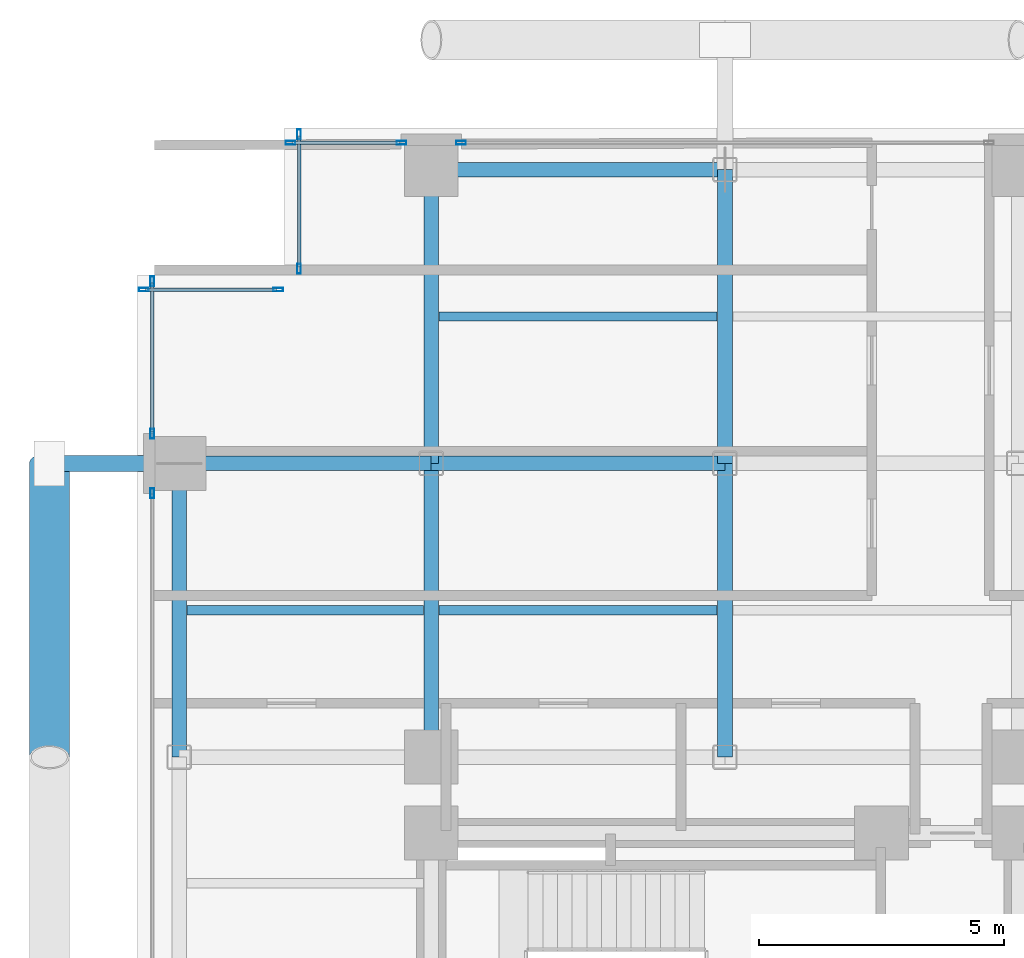
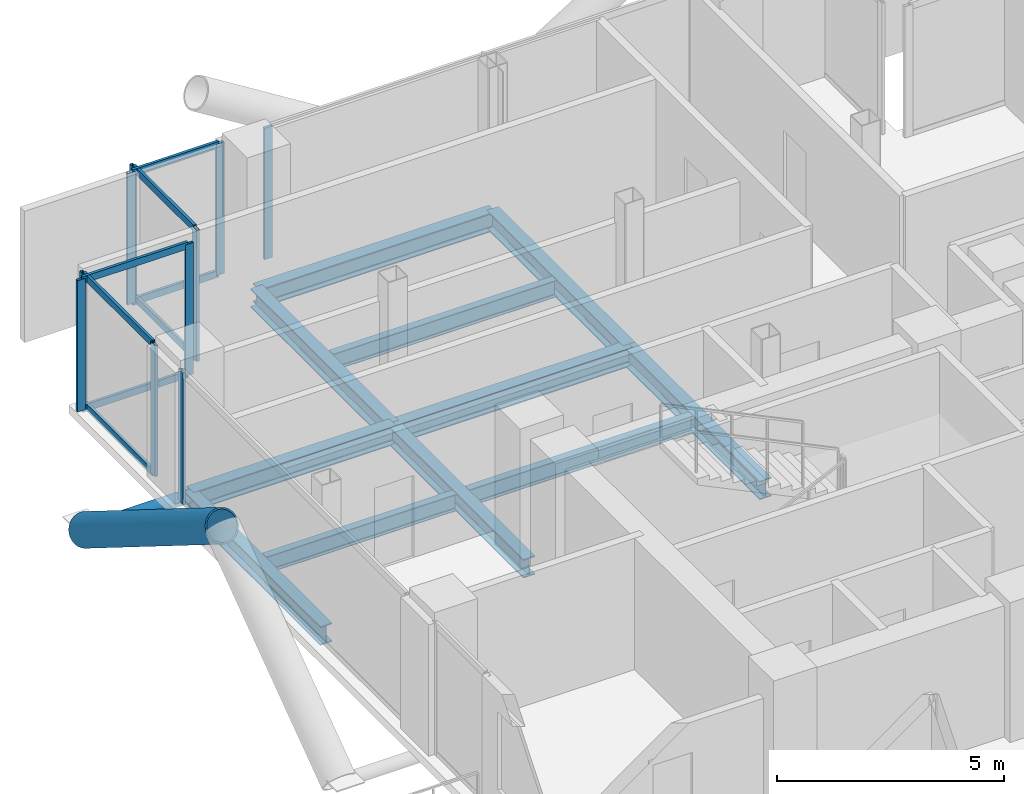
# One storey, part 14 of 24: 20 members, 11 beams, 6 elements without a shape of their own.
"""IFC4 building model written with IfcOpenShell, lengths in metres."""

import ifcopenshell
import ifcopenshell.guid

model = None  # the IFC model being written
_history = None  # IfcOwnerHistory: only IFC2X3 demands one
_inside = {}  # id of a spatial element -> (the spatial element, [elements in it])
_under = {}  # id of a project, library or spatial element -> (it, [spatial elements below it])
_declared = {}  # id of a project -> (the project, [libraries it declares])
_typed = {}  # id of a type object -> (the type object, [elements of that type])
_made_of = {}  # id of a material, layer set ... -> (it, [elements and type objects made of it])


def new_model(schema):
    """Start an empty IFC model of exactly this schema.

    Asked for "IFC4X3", IfcOpenShell would pick the latest addendum, in which some entities
    have other attributes; the version numbers below select the first issue.
    IFC2X3 requires an IfcOwnerHistory on every rooted entity: one is made here for all.
    """
    global model, _history
    if schema == "IFC4X3":
        model = ifcopenshell.file(schema_version=(4, 3, 0, 0))
    else:
        model = ifcopenshell.file(schema=schema)
    _inside.clear()
    _under.clear()
    _declared.clear()
    _typed.clear()
    _made_of.clear()
    _history = None
    if model.schema == "IFC2X3":
        org = make("IfcOrganization", Name="unknown")
        user = make(
            "IfcPersonAndOrganization",
            ThePerson=make("IfcPerson", FamilyName="unknown"),
            TheOrganization=org,
        )
        app = make(
            "IfcApplication",
            ApplicationDeveloper=org,
            Version="unknown",
            ApplicationFullName="unknown",
            ApplicationIdentifier="unknown",
        )
        _history = make(
            "IfcOwnerHistory",
            OwningUser=user,
            OwningApplication=app,
            ChangeAction="ADDED",
            CreationDate=0,
        )
    return model


def make(cls, **values):
    """One entity of the class cls with the attributes given. An attribute that is None is left unset."""
    return model.create_entity(
        cls, **{name: value for name, value in values.items() if value is not None}
    )


def rooted(cls, **values):
    """An entity with a GlobalId (a new one), such as an element, a storey or a relation."""
    return make(cls, GlobalId=ifcopenshell.guid.new(), OwnerHistory=_history, **values)


def si_unit(unit_type, name, prefix=None):
    """IfcSIUnit, for example si_unit("LENGTHUNIT", "METRE", prefix="MILLI")."""
    return make("IfcSIUnit", UnitType=unit_type, Prefix=prefix, Name=name)


def assignment(units):
    """IfcUnitAssignment: the units of a project."""
    return None if units is None else make("IfcUnitAssignment", Units=units)


def point(xyz):
    """IfcCartesianPoint."""
    return None if xyz is None else make("IfcCartesianPoint", Coordinates=xyz)


def direction(xyz):
    """IfcDirection."""
    return None if xyz is None else make("IfcDirection", DirectionRatios=xyz)


def frame(location, z_axis=None, x_axis=None):
    """IfcAxis2Placement3D, a coordinate frame: its origin and axes. An axis left out is left unset."""
    return make(
        "IfcAxis2Placement3D",
        Location=point(location),
        Axis=direction(z_axis),
        RefDirection=direction(x_axis),
    )


def frame_2d(location, x_axis=None):
    """IfcAxis2Placement2D, a coordinate frame in the plane: its origin and x axis."""
    return make(
        "IfcAxis2Placement2D", Location=point(location), RefDirection=direction(x_axis)
    )


def origin():
    """The frame at (0, 0, 0) with its axes left unset."""
    return frame((0.0, 0.0, 0.0))


def origin_2d():
    """The frame at (0, 0) in the plane with its x axis left unset."""
    return frame_2d((0.0, 0.0))


def place(relative_to, where):
    """IfcLocalPlacement: puts the frame where relative to a parent placement (None: the world)."""
    return make(
        "IfcLocalPlacement", PlacementRelTo=relative_to, RelativePlacement=where
    )


def context(
    kind, dimensions, precision=None, world=None, true_north=None, identifier=None
):
    """IfcGeometricRepresentationContext, for example the 3D "Model" context."""
    return make(
        "IfcGeometricRepresentationContext",
        ContextIdentifier=identifier,
        ContextType=kind,
        CoordinateSpaceDimension=dimensions,
        Precision=precision,
        WorldCoordinateSystem=world,
        TrueNorth=true_north,
    )


def subcontext(parent, identifier, kind, view, scale=None):
    """IfcGeometricRepresentationSubContext, for example "Body" below "Model"."""
    return make(
        "IfcGeometricRepresentationSubContext",
        ContextIdentifier=identifier,
        ContextType=kind,
        ParentContext=parent,
        TargetScale=scale,
        TargetView=view,
    )


def project(units=None, contexts=None):
    """IfcProject with its units and contexts."""
    return rooted(
        "IfcProject",
        Name="project",
        RepresentationContexts=contexts,
        UnitsInContext=assignment(units),
    )


def spatial(cls, under=None, at=None, **own):
    """A site, building, storey or space (cls), placed at a placement, below another one or the project."""
    s = rooted(cls, ObjectPlacement=at, **own)
    if under is not None:
        _under.setdefault(under.id(), (under, []))[1].append(s)
    return s


def profile(cls, at=None, kind="AREA", **sizes):
    """A parametric profile (cls). Its sizes go by their IFC names, for example OverallWidth=200.0."""
    return make(cls, ProfileType=kind, Position=at, **sizes)


def hollow_rectangle(**sizes):
    """IfcRectangleHollowProfileDef."""
    return profile("IfcRectangleHollowProfileDef", **sizes)


def hollow_circle(**sizes):
    """IfcCircleHollowProfileDef."""
    return profile("IfcCircleHollowProfileDef", **sizes)


def i_section(**sizes):
    """IfcIShapeProfileDef."""
    return profile("IfcIShapeProfileDef", **sizes)


def extrude(swept, where, along, depth):
    """IfcExtrudedAreaSolid: the profile swept, set in the frame where, extruded along a direction by depth."""
    return make(
        "IfcExtrudedAreaSolid",
        SweptArea=swept,
        Position=where,
        ExtrudedDirection=direction(along),
        Depth=depth,
    )


def shape(context_of_items, identifier, shape_type, items):
    """IfcShapeRepresentation: the items that make up one representation, for example the "Body"."""
    return make(
        "IfcShapeRepresentation",
        ContextOfItems=context_of_items,
        RepresentationIdentifier=identifier,
        RepresentationType=shape_type,
        Items=items,
    )


def material(Name=None, Category=None):
    """IfcMaterial."""
    return make("IfcMaterial", Name=Name, Category=Category)


def layer(
    of_material, thickness, ventilated=None, Name=None, Category=None, Priority=None
):
    """IfcMaterialLayer: one layer of a wall or slab, of a material (None: an air gap)."""
    return make(
        "IfcMaterialLayer",
        Material=of_material,
        LayerThickness=thickness,
        IsVentilated=ventilated,
        Name=Name,
        Category=Category,
        Priority=Priority,
    )


def layer_set(layers, Name=None):
    """IfcMaterialLayerSet."""
    return make("IfcMaterialLayerSet", MaterialLayers=layers, LayerSetName=Name)


def material_profile(
    of_material, cross_section, Name=None, Category=None, Priority=None
):
    """IfcMaterialProfile: a cross section and its material."""
    return make(
        "IfcMaterialProfile",
        Name=Name,
        Material=of_material,
        Profile=cross_section,
        Priority=Priority,
        Category=Category,
    )


def profile_set(profiles, Name=None, composite=None):
    """IfcMaterialProfileSet."""
    return make(
        "IfcMaterialProfileSet",
        Name=Name,
        MaterialProfiles=profiles,
        CompositeProfile=composite,
    )


def made_of(thing, what):
    """Note that an element or type object is made of a material, layer set ...; save() writes the relation."""
    if what is not None:
        _made_of.setdefault(what.id(), (what, []))[1].append(thing)
    return thing


def type_object(cls, material=None, **own):
    """A type object (cls), such as IfcWallType, which elements share."""
    return made_of(rooted(cls, **own), material)


def element(
    cls,
    number,
    at=None,
    inside=None,
    cuts=None,
    type_object=None,
    material=None,
    context=None,
    identifier="Body",
    shape_type=None,
    held_by="IfcProductDefinitionShape",
    body=None,
    shapes=None,
    **own,
):
    """One element of the class cls, such as IfcWall. Its Tag is "e" and its number.

    at: its placement. inside: the storey or other place that contains it. cuts: it is an
    opening in that element (IfcRelVoidsElement). A single representation is given by context,
    identifier, shape_type and body (its items); several are given by shapes. held_by: the class
    of the entity that holds the representations. save() writes the other relations.
    """
    e = rooted(cls, Tag="e%d" % number, ObjectPlacement=at, **own)
    if body is not None:
        shapes = [shape(context, identifier, shape_type, body)]
    if shapes is not None:
        e.Representation = make(held_by, Representations=shapes)
    if inside is not None:
        _inside.setdefault(inside.id(), (inside, []))[1].append(e)
    if cuts is not None:
        rooted(
            "IfcRelVoidsElement", RelatingBuildingElement=cuts, RelatedOpeningElement=e
        )
    if type_object is not None:
        _typed.setdefault(type_object.id(), (type_object, []))[1].append(e)
    return made_of(e, material)


def aggregate(whole, parts):
    """IfcRelAggregates: a whole, such as a stair, and the parts it consists of."""
    return rooted("IfcRelAggregates", RelatingObject=whole, RelatedObjects=parts)


def save(model, path):
    """Write the relations noted so far, then the file.

    IfcRelAggregates (storeys below a building ...), IfcRelContainedInSpatialStructure (elements
    in a storey), IfcRelDefinesByType, IfcRelAssociatesMaterial and IfcRelDeclares: one each for
    every whole, place, type object, material and project.
    """
    for whole, parts in _under.values():
        aggregate(whole, parts)
    for where, things in _inside.values():
        rooted(
            "IfcRelContainedInSpatialStructure",
            RelatedElements=things,
            RelatingStructure=where,
        )
    for kind, things in _typed.values():
        rooted("IfcRelDefinesByType", RelatedObjects=things, RelatingType=kind)
    for what, things in _made_of.values():
        rooted("IfcRelAssociatesMaterial", RelatedObjects=things, RelatingMaterial=what)
    for by, libraries in _declared.values():
        rooted("IfcRelDeclares", RelatingContext=by, RelatedDefinitions=libraries)
    model.write(path)


model = new_model("IFC4")

# Units and contexts
model_context = context("Model", 3, precision=1e-05, world=origin(), true_north=direction((0.0, 1.0)))
body_context = subcontext(model_context, "Body", "Model", "MODEL_VIEW")
ifc_project = project(units=[si_unit("LENGTHUNIT", "METRE"), si_unit("AREAUNIT", "SQUARE_METRE"), si_unit("VOLUMEUNIT", "CUBIC_METRE"), si_unit("PLANEANGLEUNIT", "RADIAN"), si_unit("MASSUNIT", "GRAM", prefix="KILO"), si_unit("THERMODYNAMICTEMPERATUREUNIT", "KELVIN"), si_unit("POWERUNIT", "WATT")], contexts=[model_context])

# Site, building, storey
site_placement = place(None, origin())
site = spatial("IfcSite", under=ifc_project, at=site_placement, CompositionType="ELEMENT")
building_placement = place(site_placement, origin())
building = spatial("IfcBuilding", under=site, at=building_placement, Name="Svarakhadi Broadcast Tower", CompositionType="ELEMENT")
storey_placement = place(building_placement, frame((0.0, 0.0, 115.64990234375)))
storey = spatial("IfcBuildingStorey", under=building, at=storey_placement, Name="L27", CompositionType="ELEMENT", Elevation=115.64990234375)

# Beams
ifc_material_1 = material(Name="Steel S355J2 (IS 2062 E350C)", Category="steel")
ifc_material_profile_1 = material_profile(ifc_material_1, i_section(OverallWidth=0.18994140625, OverallDepth=0.449951171875, WebThickness=0.009521484375, FlangeThickness=0.0146484375, FilletRadius=0.02099609375, at=origin_2d()), Name="NPB 450x190x78")
ifc_profile_set_1 = profile_set([ifc_material_profile_1], Name="Steel S355J2 (IS 2062 E350C)")
beam_type_1 = type_object("IfcBeamType", Name="Beam_NPB450", PredefinedType="BEAM", material=ifc_profile_set_1)
beam_1_placement = place(storey_placement, frame((1.010009765625, 32.14990234375, -0.449951171875), z_axis=(1.0, 0.0, 0.0), x_axis=(0.0, 1.0, 0.0)))
element("IfcBeam", 1, at=beam_1_placement, inside=storey, type_object=beam_type_1, Name="L27 Secondary Composite Beam SB005", PredefinedType="BEAM", context=body_context, shape_type="SweptSolid", body=[
    extrude(i_section(OverallWidth=0.18994140625, OverallDepth=0.449951171875, WebThickness=0.009521484375, FlangeThickness=0.0146484375, FilletRadius=0.02099609375, at=origin_2d()), origin(), (0.0, 0.0, 1.0), 4.830078125),
])
for number, where, z_axis, x_axis, name in (
    (2, (6.159912109375, 32.14990234375, -0.449951171875), (1.0, 0.0, 0.0), (0.0, 1.0, 0.0), "L27 Secondary Composite Beam SB009"),
    (3, (6.159912109375, 38.14990234375, -0.449951171875), (1.0, 0.0, 0.0), (0.0, 1.0, 0.0), "L27 Secondary Composite Beam SB010"),
):
    element("IfcBeam", number, at=place(storey_placement, frame(where, z_axis=z_axis, x_axis=x_axis)), inside=storey, type_object=beam_type_1, Name=name, PredefinedType="BEAM", context=body_context, shape_type="SweptSolid", body=[
        extrude(i_section(OverallWidth=0.18994140625, OverallDepth=0.449951171875, WebThickness=0.009521484375, FlangeThickness=0.0146484375, FilletRadius=0.02099609375, at=origin_2d()), origin(), (0.0, 0.0, 1.0), 5.68017578125),
    ])

# Curtain wall, member
ifc_material_2 = material(Name="Anodised Bronze Aluminium AA 6063-T6", Category="aluminium")
ifc_layer = layer(ifc_material_2, 0.199951171875)
ifc_layer_set = layer_set([ifc_layer], Name="Anodised Bronze Aluminium AA 6063-T6")
curtain_wall_type = type_object("IfcCurtainWallType", Name="CW_Sys_03", PredefinedType="NOTDEFINED", material=ifc_layer_set)
curtain_wall_1_placement = place(storey_placement, origin())
curtain_wall_1 = element("IfcCurtainWall", 4, at=curtain_wall_1_placement, inside=storey, type_object=curtain_wall_type, Name="L27 West Curtain Wall 03 Bay 2", PredefinedType="NOTDEFINED")
ifc_material_profile_2 = material_profile(ifc_material_2, hollow_rectangle(XDim=0.074951171875, YDim=0.199951171875, WallThickness=0.005615234375, at=origin_2d()), Name="ALU MULLION 200x75x6")
ifc_profile_set_2 = profile_set([ifc_material_profile_2], Name="Anodised Bronze Aluminium AA 6063-T6")
member_type_1 = type_object("IfcMemberType", Name="CW_Sys_03_Mul", PredefinedType="MULLION", material=ifc_profile_set_2)
member_1_placement = place(storey_placement, frame((0.300048828125, 34.54248046875, 0.0), z_axis=(0.0, 0.0, 1.0), x_axis=(-1.0, 0.0, 0.0)))
member_1 = element("IfcMember", 5, at=member_1_placement, type_object=member_type_1, Name="CW-03 mullion 2", PredefinedType="MULLION", context=body_context, shape_type="SweptSolid", body=[
    extrude(hollow_rectangle(XDim=0.074951171875, YDim=0.199951171875, WallThickness=0.005615234375, at=origin_2d()), origin(), (0.0, 0.0, 1.0), 3.525146484375),
])
aggregate(curtain_wall_1, [member_1])

# Curtain wall, members
curtain_wall_2_placement = place(storey_placement, origin())
curtain_wall_2 = element("IfcCurtainWall", 6, at=curtain_wall_2_placement, inside=storey, type_object=curtain_wall_type, Name="L27 West Curtain Wall 03 Bay 3", PredefinedType="NOTDEFINED")
member_2_placement = place(storey_placement, frame((0.300048828125, 35.757568359375, 0.0), z_axis=(0.0, 0.0, 1.0), x_axis=(-1.0, 0.0, 0.0)))
member_2 = element("IfcMember", 7, at=member_2_placement, type_object=member_type_1, Name="CW-03 mullion 1", PredefinedType="MULLION", context=body_context, shape_type="SweptSolid", body=[
    extrude(hollow_rectangle(XDim=0.074951171875, YDim=0.199951171875, WallThickness=0.005615234375, at=origin_2d()), origin(), (0.0, 0.0, 1.0), 3.525146484375),
])
member_3_placement = place(storey_placement, frame((0.300048828125, 38.87255859375, 0.0), z_axis=(0.0, 0.0, 1.0), x_axis=(-1.0, 0.0, 0.0)))
member_3 = element("IfcMember", 8, at=member_3_placement, type_object=member_type_1, Name="CW-03 mullion 2", PredefinedType="MULLION", context=body_context, shape_type="SweptSolid", body=[
    extrude(hollow_rectangle(XDim=0.074951171875, YDim=0.199951171875, WallThickness=0.005615234375, at=origin_2d()), origin(), (0.0, 0.0, 1.0), 3.525146484375),
])

curtain_wall_3_placement = place(storey_placement, origin())
curtain_wall_3 = element("IfcCurtainWall", 9, at=curtain_wall_3_placement, inside=storey, type_object=curtain_wall_type, Name="L27 Unitised Facade Curtain Wall 04", PredefinedType="NOTDEFINED")
member_4_placement = place(storey_placement, frame((0.12744140625, 38.699951171875, 0.0), z_axis=(0.0, 0.0, 1.0), x_axis=(0.0, 1.0, 0.0)))
member_4 = element("IfcMember", 10, at=member_4_placement, type_object=member_type_1, Name="CW-03 mullion 1", PredefinedType="MULLION", context=body_context, shape_type="SweptSolid", body=[
    extrude(hollow_rectangle(XDim=0.074951171875, YDim=0.199951171875, WallThickness=0.005615234375, at=origin_2d()), origin(), (0.0, 0.0, 1.0), 3.525146484375),
])
member_5_placement = place(storey_placement, frame((2.87255859375, 38.699951171875, 0.0), z_axis=(0.0, 0.0, 1.0), x_axis=(0.0, 1.0, 0.0)))
member_5 = element("IfcMember", 11, at=member_5_placement, type_object=member_type_1, Name="CW-03 mullion 2", PredefinedType="MULLION", context=body_context, shape_type="SweptSolid", body=[
    extrude(hollow_rectangle(XDim=0.074951171875, YDim=0.199951171875, WallThickness=0.005615234375, at=origin_2d()), origin(), (0.0, 0.0, 1.0), 3.525146484375),
])

curtain_wall_4_placement = place(storey_placement, origin())
curtain_wall_4 = element("IfcCurtainWall", 12, at=curtain_wall_4_placement, inside=storey, type_object=curtain_wall_type, Name="L27 Unitised Facade Curtain Wall 05", PredefinedType="NOTDEFINED")
member_6_placement = place(storey_placement, frame((3.300048828125, 39.12744140625, 0.0), z_axis=(0.0, 0.0, 1.0), x_axis=(-1.0, 0.0, 0.0)))
member_6 = element("IfcMember", 13, at=member_6_placement, type_object=member_type_1, Name="CW-03 mullion 1", PredefinedType="MULLION", context=body_context, shape_type="SweptSolid", body=[
    extrude(hollow_rectangle(XDim=0.074951171875, YDim=0.199951171875, WallThickness=0.005615234375, at=origin_2d()), origin(), (0.0, 0.0, 1.0), 3.525146484375),
])
member_7_placement = place(storey_placement, frame((3.300048828125, 41.87255859375, 0.0), z_axis=(0.0, 0.0, 1.0), x_axis=(-1.0, 0.0, 0.0)))
member_7 = element("IfcMember", 14, at=member_7_placement, type_object=member_type_1, Name="CW-03 mullion 2", PredefinedType="MULLION", context=body_context, shape_type="SweptSolid", body=[
    extrude(hollow_rectangle(XDim=0.074951171875, YDim=0.199951171875, WallThickness=0.005615234375, at=origin_2d()), origin(), (0.0, 0.0, 1.0), 3.525146484375),
])

curtain_wall_5_placement = place(storey_placement, origin())
curtain_wall_5 = element("IfcCurtainWall", 15, at=curtain_wall_5_placement, inside=storey, type_object=curtain_wall_type, Name="L27 Unitised Facade Curtain Wall 06 Bay 1", PredefinedType="NOTDEFINED")
member_8_placement = place(storey_placement, frame((3.12744140625, 41.699951171875, 0.0), z_axis=(0.0, 0.0, 1.0), x_axis=(0.0, 1.0, 0.0)))
member_8 = element("IfcMember", 16, at=member_8_placement, type_object=member_type_1, Name="CW-03 mullion 1", PredefinedType="MULLION", context=body_context, shape_type="SweptSolid", body=[
    extrude(hollow_rectangle(XDim=0.074951171875, YDim=0.199951171875, WallThickness=0.005615234375, at=origin_2d()), origin(), (0.0, 0.0, 1.0), 3.525146484375),
])
member_9_placement = place(storey_placement, frame((5.392578125, 41.699951171875, 0.0), z_axis=(0.0, 0.0, 1.0), x_axis=(0.0, 1.0, 0.0)))
member_9 = element("IfcMember", 17, at=member_9_placement, type_object=member_type_1, Name="CW-03 mullion 2", PredefinedType="MULLION", context=body_context, shape_type="SweptSolid", body=[
    extrude(hollow_rectangle(XDim=0.074951171875, YDim=0.199951171875, WallThickness=0.005615234375, at=origin_2d()), origin(), (0.0, 0.0, 1.0), 3.525146484375),
])

# Curtain wall, member
curtain_wall_6_placement = place(storey_placement, origin())
curtain_wall_6 = element("IfcCurtainWall", 18, at=curtain_wall_6_placement, inside=storey, type_object=curtain_wall_type, Name="L27 Unitised Facade Curtain Wall 06 Bay 2", PredefinedType="NOTDEFINED")
member_10_placement = place(storey_placement, frame((6.607421875, 41.699951171875, 0.0), z_axis=(0.0, 0.0, 1.0), x_axis=(0.0, 1.0, 0.0)))
member_10 = element("IfcMember", 19, at=member_10_placement, type_object=member_type_1, Name="CW-03 mullion 1", PredefinedType="MULLION", context=body_context, shape_type="SweptSolid", body=[
    extrude(hollow_rectangle(XDim=0.074951171875, YDim=0.199951171875, WallThickness=0.005615234375, at=origin_2d()), origin(), (0.0, 0.0, 1.0), 3.525146484375),
])
aggregate(curtain_wall_6, [member_10])

# Member
ifc_material_profile_3 = material_profile(ifc_material_2, hollow_rectangle(XDim=0.070068359375, YDim=0.18505859375, WallThickness=0.0048828125, at=origin_2d()), Name="ALU TRANSOM 185x70x5")
ifc_profile_set_3 = profile_set([ifc_material_profile_3], Name="Anodised Bronze Aluminium AA 6063-T6")
member_type_2 = type_object("IfcMemberType", Name="CW_Sys_03_Trn", PredefinedType="USERDEFINED", material=ifc_profile_set_3)
member_11_placement = place(storey_placement, frame((0.300048828125, 35.794921875, 0.03515625), z_axis=(0.0, 1.0, 0.0), x_axis=(-1.0, 0.0, 0.0)))
member_11 = element("IfcMember", 20, at=member_11_placement, type_object=member_type_2, Name="CW-03 transom 1.1", ObjectType="TRANSOM", PredefinedType="USERDEFINED", context=body_context, shape_type="SweptSolid", body=[
    extrude(hollow_rectangle(XDim=0.070068359375, YDim=0.18505859375, WallThickness=0.0048828125, at=origin_2d()), origin(), (0.0, 0.0, 1.0), 3.0400390625),
])

member_12_placement = place(storey_placement, frame((0.300048828125, 35.794921875, 3.489990234375), z_axis=(0.0, 1.0, 0.0), x_axis=(-1.0, 0.0, 0.0)))
member_12 = element("IfcMember", 21, at=member_12_placement, type_object=member_type_2, Name="CW-03 transom 1.2", ObjectType="TRANSOM", PredefinedType="USERDEFINED", context=body_context, shape_type="SweptSolid", body=[
    extrude(hollow_rectangle(XDim=0.070068359375, YDim=0.18505859375, WallThickness=0.0048828125, at=origin_2d()), origin(), (0.0, 0.0, 1.0), 3.0400390625),
])

aggregate(curtain_wall_2, [member_2, member_3, member_11, member_12])

member_13_placement = place(storey_placement, frame((0.1650390625, 38.699951171875, 0.03515625), z_axis=(1.0, 0.0, 0.0), x_axis=(0.0, 1.0, 0.0)))
member_13 = element("IfcMember", 22, at=member_13_placement, type_object=member_type_2, Name="CW-03 transom 1.1", ObjectType="TRANSOM", PredefinedType="USERDEFINED", context=body_context, shape_type="SweptSolid", body=[
    extrude(hollow_rectangle(XDim=0.070068359375, YDim=0.18505859375, WallThickness=0.0048828125, at=origin_2d()), origin(), (0.0, 0.0, 1.0), 2.669921875),
])

member_14_placement = place(storey_placement, frame((0.1650390625, 38.699951171875, 3.489990234375), z_axis=(1.0, 0.0, 0.0), x_axis=(0.0, 1.0, 0.0)))
member_14 = element("IfcMember", 23, at=member_14_placement, type_object=member_type_2, Name="CW-03 transom 1.2", ObjectType="TRANSOM", PredefinedType="USERDEFINED", context=body_context, shape_type="SweptSolid", body=[
    extrude(hollow_rectangle(XDim=0.070068359375, YDim=0.18505859375, WallThickness=0.0048828125, at=origin_2d()), origin(), (0.0, 0.0, 1.0), 2.669921875),
])

aggregate(curtain_wall_3, [member_4, member_5, member_13, member_14])

member_15_placement = place(storey_placement, frame((3.300048828125, 39.1650390625, 0.03515625), z_axis=(0.0, 1.0, 0.0), x_axis=(-1.0, 0.0, 0.0)))
member_15 = element("IfcMember", 24, at=member_15_placement, type_object=member_type_2, Name="CW-03 transom 1.1", ObjectType="TRANSOM", PredefinedType="USERDEFINED", context=body_context, shape_type="SweptSolid", body=[
    extrude(hollow_rectangle(XDim=0.070068359375, YDim=0.18505859375, WallThickness=0.0048828125, at=origin_2d()), origin(), (0.0, 0.0, 1.0), 2.669921875),
])

member_16_placement = place(storey_placement, frame((3.300048828125, 39.1650390625, 3.489990234375), z_axis=(0.0, 1.0, 0.0), x_axis=(-1.0, 0.0, 0.0)))
member_16 = element("IfcMember", 25, at=member_16_placement, type_object=member_type_2, Name="CW-03 transom 1.2", ObjectType="TRANSOM", PredefinedType="USERDEFINED", context=body_context, shape_type="SweptSolid", body=[
    extrude(hollow_rectangle(XDim=0.070068359375, YDim=0.18505859375, WallThickness=0.0048828125, at=origin_2d()), origin(), (0.0, 0.0, 1.0), 2.669921875),
])

aggregate(curtain_wall_4, [member_6, member_7, member_15, member_16])

member_17_placement = place(storey_placement, frame((3.1650390625, 41.699951171875, 0.03515625), z_axis=(1.0, 0.0, 0.0), x_axis=(0.0, 1.0, 0.0)))
member_17 = element("IfcMember", 26, at=member_17_placement, type_object=member_type_2, Name="CW-03 transom 1.1", ObjectType="TRANSOM", PredefinedType="USERDEFINED", context=body_context, shape_type="SweptSolid", body=[
    extrude(hollow_rectangle(XDim=0.070068359375, YDim=0.18505859375, WallThickness=0.0048828125, at=origin_2d()), origin(), (0.0, 0.0, 1.0), 2.18994140625),
])

member_18_placement = place(storey_placement, frame((3.1650390625, 41.699951171875, 3.489990234375), z_axis=(1.0, 0.0, 0.0), x_axis=(0.0, 1.0, 0.0)))
member_18 = element("IfcMember", 27, at=member_18_placement, type_object=member_type_2, Name="CW-03 transom 1.2", ObjectType="TRANSOM", PredefinedType="USERDEFINED", context=body_context, shape_type="SweptSolid", body=[
    extrude(hollow_rectangle(XDim=0.070068359375, YDim=0.18505859375, WallThickness=0.0048828125, at=origin_2d()), origin(), (0.0, 0.0, 1.0), 2.18994140625),
])

aggregate(curtain_wall_5, [member_8, member_9, member_17, member_18])

# Members
ifc_material_3 = material(Name="Steel S460ML (IS 2062 E450BR)", Category="steel")
ifc_material_profile_4 = material_profile(ifc_material_3, hollow_circle(Radius=0.406494140625, WallThickness=0.0400390625, at=origin_2d()), Name="CHS 813x40")
ifc_profile_set_4 = profile_set([ifc_material_profile_4], Name="Steel S460ML (IS 2062 E450BR)")
member_type_3 = type_object("IfcMemberType", Name="Exo_Brace_CHS813", PredefinedType="BRACE", material=ifc_profile_set_4)
member_19_placement = place(storey_placement, frame((-1.800048828125, 35.14990234375, -0.386962890625), z_axis=(0.0, -0.847998304005, 0.529998940003), x_axis=(1.0, 0.0, 0.0)))
element("IfcMember", 28, at=member_19_placement, inside=storey, type_object=member_type_3, Name="L27 Exposed Bronze Exoskeleton Diagonal W05", PredefinedType="BRACE", context=body_context, shape_type="SweptSolid", body=[
    extrude(hollow_circle(Radius=0.406494140625, WallThickness=0.0400390625, at=origin_2d()), origin(), (0.0, 0.0, 1.0), 7.075439453125),
])
ifc_material_profile_5 = material_profile(ifc_material_3, hollow_circle(Radius=0.161865234375, WallThickness=0.01611328125, at=origin_2d()), Name="CHS 323.9x16")
ifc_profile_set_5 = profile_set([ifc_material_profile_5], Name="Steel S460ML (IS 2062 E450BR)")
member_type_4 = type_object("IfcMemberType", Name="Exo_Radial_Strut_Z2", PredefinedType="STRUT", material=ifc_profile_set_5)
member_20_placement = place(storey_placement, frame((-1.800048828125, 35.14990234375, -0.386962890625), z_axis=(1.0, 0.0, 0.0), x_axis=(0.0, 1.0, 0.0)))
element("IfcMember", 29, at=member_20_placement, inside=storey, type_object=member_type_4, Name="L27 Exoskeleton Radial Tie Strut W04", PredefinedType="STRUT", context=body_context, shape_type="SweptSolid", body=[
    extrude(hollow_circle(Radius=0.161865234375, WallThickness=0.01611328125, at=origin_2d()), origin(), (0.0, 0.0, 1.0), 2.650146484375),
])

# Beams
ifc_material_profile_6 = material_profile(ifc_material_1, i_section(OverallWidth=0.300048828125, OverallDepth=0.5, WebThickness=0.014404296875, FlangeThickness=0.028076171875, FilletRadius=0.027099609375, at=origin_2d()), Name="WPB 500x300x187")
ifc_profile_set_6 = profile_set([ifc_material_profile_6], Name="Steel S355J2 (IS 2062 E350C)")
beam_type_2 = type_object("IfcBeamType", Name="Girder_WPB500", PredefinedType="USERDEFINED", material=ifc_profile_set_6)
beam_2_placement = place(storey_placement, frame((0.85009765625, 35.14990234375, -0.474853515625), z_axis=(1.0, 0.0, 0.0), x_axis=(0.0, 1.0, 0.0)))
element("IfcBeam", 30, at=beam_2_placement, inside=storey, type_object=beam_type_2, Name="L27 Primary E-W Girder G035", ObjectType="GIRDER", PredefinedType="USERDEFINED", context=body_context, shape_type="SweptSolid", body=[
    extrude(i_section(OverallWidth=0.300048828125, OverallDepth=0.5, WebThickness=0.014404296875, FlangeThickness=0.028076171875, FilletRadius=0.027099609375, at=origin_2d()), origin(), (0.0, 0.0, 1.0), 5.14990234375),
])
for number, where, z_axis, x_axis, name in (
    (31, (6.0, 35.14990234375, -0.474853515625), (1.0, 0.0, 0.0), (0.0, 1.0, 0.0), "L27 Primary E-W Girder G036"),
    (32, (6.0, 41.14990234375, -0.474853515625), (1.0, 0.0, 0.0), (0.0, 1.0, 0.0), "L27 Primary E-W Girder G038"),
    (33, (0.85009765625, 29.14990234375, -0.474853515625), (0.0, 1.0, 0.0), (-1.0, 0.0, 0.0), "L27 Primary N-S Girder G044"),
    (34, (6.0, 29.14990234375, -0.474853515625), (0.0, 1.0, 0.0), (-1.0, 0.0, 0.0), "L27 Primary N-S Girder G049"),
    (35, (6.0, 35.14990234375, -0.474853515625), (0.0, 1.0, 0.0), (-1.0, 0.0, 0.0), "L27 Primary N-S Girder G050"),
    (36, (12.0, 29.14990234375, -0.474853515625), (0.0, 1.0, 0.0), (-1.0, 0.0, 0.0), "L27 Primary N-S Girder G054"),
    (37, (12.0, 35.14990234375, -0.474853515625), (0.0, 1.0, 0.0), (-1.0, 0.0, 0.0), "L27 Primary N-S Girder G055"),
):
    element("IfcBeam", number, at=place(storey_placement, frame(where, z_axis=z_axis, x_axis=x_axis)), inside=storey, type_object=beam_type_2, Name=name, ObjectType="GIRDER", PredefinedType="USERDEFINED", context=body_context, shape_type="SweptSolid", body=[
        extrude(i_section(OverallWidth=0.300048828125, OverallDepth=0.5, WebThickness=0.014404296875, FlangeThickness=0.028076171875, FilletRadius=0.027099609375, at=origin_2d()), origin(), (0.0, 0.0, 1.0), 6.0),
    ])

save(model, "model.ifc")
